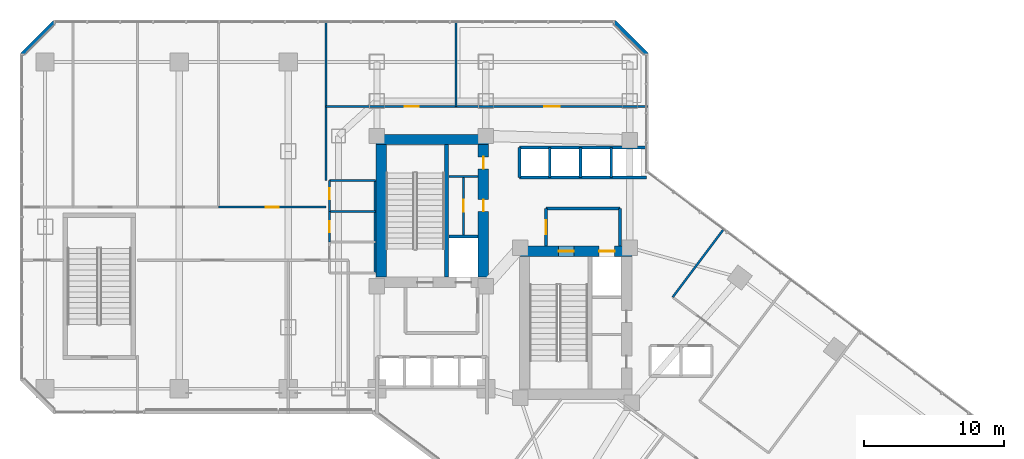
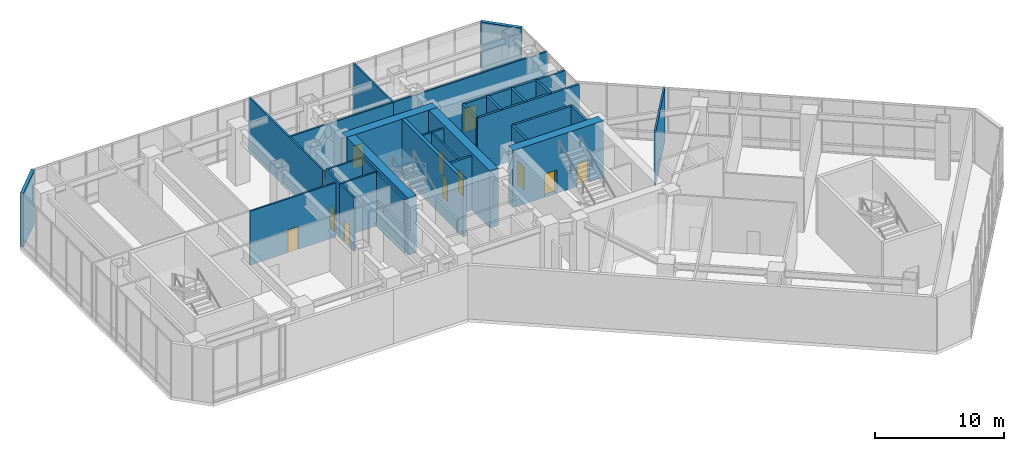
# One storey, part 29 of 35: 30 walls, 11 doors, 11 openings.
"""IFC4 building model written with IfcOpenShell, lengths in metres."""

from ifc_helpers import new_model, si_unit, direction, frame, frame_2d, origin, place, context, subcontext, project, spatial, rectangle, extrude, material, layer, layer_set, type_object, element, fill, save


model = new_model("IFC4")

# Units and contexts
model_context = context("Model", 3, precision=1e-05, world=origin(), true_north=direction((0.0, 1.0)))
body_context = subcontext(model_context, "Body", "Model", "MODEL_VIEW")
ifc_project = project(units=[si_unit("LENGTHUNIT", "METRE"), si_unit("AREAUNIT", "SQUARE_METRE"), si_unit("VOLUMEUNIT", "CUBIC_METRE"), si_unit("PLANEANGLEUNIT", "RADIAN"), si_unit("MASSUNIT", "GRAM", prefix="KILO")], contexts=[model_context])

# Site, building, storey
site_placement = place(None, origin())
site = spatial("IfcSite", under=ifc_project, at=site_placement, CompositionType="ELEMENT")
building_placement = place(site_placement, origin())
building = spatial("IfcBuilding", under=site, at=building_placement, Name="Hatsunagi Terrace Concourse", CompositionType="ELEMENT")
storey_placement = place(building_placement, frame((0.0, 0.0, 16.199951171875)))
storey = spatial("IfcBuildingStorey", under=building, at=storey_placement, Name="L04", CompositionType="ELEMENT", Elevation=16.199951171875)

# Walls
ifc_material_1 = material(Name="Concrete Fc60", Category="concrete")
ifc_layer_1 = layer(ifc_material_1, 0.75)
ifc_layer_set_1 = layer_set([ifc_layer_1], Name="CoreShearWall_Fc60_750")
wall_type_1 = type_object("IfcWallType", Name="CoreShearWall_Fc60_750", PredefinedType="SHEAR", material=ifc_layer_set_1)
wall_1_placement = place(storey_placement, frame((25.469970703125, 43.044921875, 0.0), z_axis=(0.0, 0.0, 1.0), x_axis=(1.0, 0.0, 0.0)))
element("IfcWall", 1, at=wall_1_placement, inside=storey, type_object=wall_type_1, Name="Core A Shear Wall N L04", PredefinedType="SHEAR", context=body_context, shape_type="SweptSolid", body=[
    extrude(rectangle(XDim=8.080078125, YDim=0.75, at=frame_2d((4.0400390625, 0.0))), origin(), (0.0, 0.0, 1.0), 5.400146484375),
])
wall_2_placement = place(storey_placement, frame((25.844970703125, 33.18994140625, 0.0), z_axis=(0.0, 0.0, 1.0), x_axis=(0.0, 1.0, 0.0)))
element("IfcWall", 2, at=wall_2_placement, inside=storey, type_object=wall_type_1, Name="Core A Shear Wall W L04", PredefinedType="SHEAR", context=body_context, shape_type="SweptSolid", body=[
    extrude(rectangle(XDim=9.47998046875, YDim=0.75, at=frame_2d((4.739990234375, 0.0))), origin(), (0.0, 0.0, 1.0), 5.400146484375),
])

# Wall, openings, doors
wall_3_placement = place(storey_placement, frame((33.175048828125, 33.18994140625, 0.0), z_axis=(0.0, 0.0, 1.0), x_axis=(0.0, 1.0, 0.0)))
wall_3 = element("IfcWall", 3, at=wall_3_placement, inside=storey, type_object=wall_type_1, Name="Core A Shear Wall E L04", PredefinedType="SHEAR", context=body_context, shape_type="SweptSolid", body=[
    extrude(rectangle(XDim=9.47998046875, YDim=0.75, at=frame_2d((4.739990234375, 0.0))), origin(), (0.0, 0.0, 1.0), 5.400146484375),
])
opening_1_placement = place(wall_3_placement, frame((4.7099609375, 0.0, 0.0)))
opening_1 = element("IfcOpeningElement", 4, at=opening_1_placement, cuts=wall_3, Name="Opening DR-085", PredefinedType="OPENING", context=body_context, shape_type="SweptSolid", body=[
    extrude(rectangle(XDim=0.85009765625, YDim=2.080078125, at=frame_2d((0.425048828125, 1.0400390625))), frame((0.0, 0.385009765625, 0.0), z_axis=(0.0, -1.0, 0.0), x_axis=(1.0, 0.0, 0.0)), (0.0, 0.0, 1.0), 0.77001953125),
])
opening_2_placement = place(wall_3_placement, frame((7.760009765625, 0.0, 0.0)))
opening_2 = element("IfcOpeningElement", 5, at=opening_2_placement, cuts=wall_3, Name="Opening DR-085", PredefinedType="OPENING", context=body_context, shape_type="SweptSolid", body=[
    extrude(rectangle(XDim=0.85009765625, YDim=2.080078125, at=frame_2d((0.425048828125, 1.0400390625))), frame((0.0, 0.385009765625, 0.0), z_axis=(0.0, -1.0, 0.0), x_axis=(1.0, 0.0, 0.0)), (0.0, 0.0, 1.0), 0.77001953125),
])
ifc_material_2 = material(Name="Painted steel", Category="steel")
door_type_1 = type_object("IfcDoorType", Name="RiserAccessDoor_EI60_850", OperationType="NOTDEFINED", PredefinedType="DOOR", material=ifc_material_2)
door_1_placement = place(opening_1_placement, origin())
door_1 = element("IfcDoor", 6, at=door_1_placement, inside=storey, type_object=door_type_1, Name="Core A Riser Door L04-1", OperationType="SINGLE_SWING_LEFT", OverallHeight=2.080078125, OverallWidth=0.85009765625, PredefinedType="DOOR", context=body_context, shape_type="SweptSolid", body=[
    extrude(rectangle(XDim=0.85009765625, YDim=2.080078125, at=frame_2d((0.425048828125, 1.0400390625))), frame((0.0, 0.02490234375, 0.0), z_axis=(0.0, -1.0, 0.0), x_axis=(1.0, 0.0, 0.0)), (0.0, 0.0, 1.0), 0.050048828125),
])
fill(opening_1, door_1)
door_2_placement = place(opening_2_placement, origin())
door_2 = element("IfcDoor", 7, at=door_2_placement, inside=storey, type_object=door_type_1, Name="Core A Riser Door L04-2", OperationType="SINGLE_SWING_LEFT", OverallHeight=2.080078125, OverallWidth=0.85009765625, PredefinedType="DOOR", context=body_context, shape_type="SweptSolid", body=[
    extrude(rectangle(XDim=0.85009765625, YDim=2.080078125, at=frame_2d((0.425048828125, 1.0400390625))), frame((0.0, 0.02490234375, 0.0), z_axis=(0.0, -1.0, 0.0), x_axis=(1.0, 0.0, 0.0)), (0.0, 0.0, 1.0), 0.050048828125),
])
fill(opening_2, door_2)

wall_4_placement = place(storey_placement, frame((35.739990234375, 35.044921875, 0.0), z_axis=(0.0, 0.0, 1.0), x_axis=(1.0, 0.0, 0.0)))
wall_4 = element("IfcWall", 8, at=wall_4_placement, inside=storey, type_object=wall_type_1, Name="Core B Shear Wall N L04", PredefinedType="SHEAR", context=body_context, shape_type="SweptSolid", body=[
    extrude(rectangle(XDim=8.06005859375, YDim=0.75, at=frame_2d((4.030029296875, 0.0))), origin(), (0.0, 0.0, 1.0), 5.400146484375),
])
opening_3_placement = place(wall_4_placement, frame((2.81005859375, 0.0, 0.0)))
opening_3 = element("IfcOpeningElement", 9, at=opening_3_placement, cuts=wall_4, Name="Opening DR-110S", PredefinedType="OPENING", context=body_context, shape_type="SweptSolid", body=[
    extrude(rectangle(XDim=1.10009765625, YDim=2.199951171875, at=frame_2d((0.550048828125, 1.10009765625))), frame((0.0, 0.385009765625, 0.0), z_axis=(0.0, -1.0, 0.0), x_axis=(1.0, 0.0, 0.0)), (0.0, 0.0, 1.0), 0.77001953125),
])
opening_4_placement = place(wall_4_placement, frame((5.7099609375, 0.0, 0.0)))
opening_4 = element("IfcOpeningElement", 10, at=opening_4_placement, cuts=wall_4, Name="Opening LD-02", PredefinedType="OPENING", context=body_context, shape_type="SweptSolid", body=[
    extrude(rectangle(XDim=1.1201171875, YDim=2.14990234375, at=frame_2d((0.56005859375, 1.074951171875))), frame((0.0, 0.385009765625, 0.0), z_axis=(0.0, -1.0, 0.0), x_axis=(1.0, 0.0, 0.0)), (0.0, 0.0, 1.0), 0.77001953125),
])
ifc_material_3 = material(Name="Stainless steel", Category="steel")
door_type_2 = type_object("IfcDoorType", Name="LiftLandingDoor_LD02", OperationType="SLIDING_TO_RIGHT", PredefinedType="USERDEFINED", material=ifc_material_3)
door_3_placement = place(opening_4_placement, origin())
door_3 = element("IfcDoor", 11, at=door_3_placement, inside=storey, type_object=door_type_2, Name="Lift landing door FF-02 L04", ObjectType="SLIDING_LANDING_DOOR", OperationType="SLIDING_TO_RIGHT", OverallHeight=2.14990234375, OverallWidth=1.1201171875, PredefinedType="USERDEFINED", context=body_context, shape_type="SweptSolid", body=[
    extrude(rectangle(XDim=1.1201171875, YDim=2.14990234375, at=frame_2d((0.56005859375, 1.074951171875))), frame((0.0, 0.02490234375, 0.0), z_axis=(0.0, -1.0, 0.0), x_axis=(1.0, 0.0, 0.0)), (0.0, 0.0, 1.0), 0.050048828125),
])
fill(opening_4, door_3)
ifc_material_4 = material(Name="Painted steel", Category="steel")
door_type_3 = type_object("IfcDoorType", Name="StairFireDoor_EI60_1100", OperationType="NOTDEFINED", PredefinedType="DOOR", material=ifc_material_4)
door_4_placement = place(opening_3_placement, origin())
door_4 = element("IfcDoor", 12, at=door_4_placement, inside=storey, type_object=door_type_3, Name="Stair ST-B Exit Door L04", OperationType="SINGLE_SWING_RIGHT", OverallHeight=2.199951171875, OverallWidth=1.10009765625, PredefinedType="DOOR", context=body_context, shape_type="SweptSolid", body=[
    extrude(rectangle(XDim=1.10009765625, YDim=2.199951171875, at=frame_2d((0.550048828125, 1.10009765625))), frame((0.0, 0.02490234375, 0.0), z_axis=(0.0, -1.0, 0.0), x_axis=(1.0, 0.0, 0.0)), (0.0, 0.0, 1.0), 0.050048828125),
])
fill(opening_3, door_4)

# Wall
ifc_material_5 = material(Name="Concrete Fc48", Category="concrete")
ifc_layer_2 = layer(ifc_material_5, 0.300048828125)
ifc_layer_set_2 = layer_set([ifc_layer_2], Name="CoreStairDivider_Fc48_300")
wall_type_2 = type_object("IfcWallType", Name="CoreStairDivider_Fc48_300", PredefinedType="SHEAR", material=ifc_layer_set_2)
wall_5_placement = place(storey_placement, frame((30.5400390625, 33.18994140625, 0.0), z_axis=(0.0, 0.0, 1.0), x_axis=(0.0, 1.0, 0.0)))
element("IfcWall", 13, at=wall_5_placement, inside=storey, type_object=wall_type_2, Name="Core A Shear Wall D L04", PredefinedType="SHEAR", context=body_context, shape_type="SweptSolid", body=[
    extrude(rectangle(XDim=9.47998046875, YDim=0.300048828125, at=frame_2d((4.739990234375, 0.0))), origin(), (0.0, 0.0, 1.0), 5.400146484375),
])

# Wall, opening, door
ifc_material_6 = material(Name="Acoustic mineral board", Category="gypsum")
ifc_layer_3 = layer(ifc_material_6, 0.14990234375)
ifc_layer_set_3 = layer_set([ifc_layer_3], Name="PartitionWall_EI60_150")
wall_type_3 = type_object("IfcWallType", Name="PartitionWall_EI60_150", PredefinedType="PARTITIONING", material=ifc_layer_set_3)
wall_6_placement = place(storey_placement, frame((31.75, 36.179931640625, 0.0), z_axis=(0.0, 0.0, 1.0), x_axis=(0.0, 1.0, 0.0)))
wall_6 = element("IfcWall", 14, at=wall_6_placement, inside=storey, type_object=wall_type_3, Name="Interior Partition IW-L04-002", PredefinedType="PARTITIONING", context=body_context, shape_type="SweptSolid", body=[
    extrude(rectangle(XDim=4.239990234375, YDim=0.14990234375, at=frame_2d((2.1201171875, 0.0))), origin(), (0.0, 0.0, 1.0), 5.10009765625),
])
opening_5_placement = place(wall_6_placement, frame((1.695068359375, 0.0, 0.0)))
opening_5 = element("IfcOpeningElement", 15, at=opening_5_placement, cuts=wall_6, Name="Opening DR-085", PredefinedType="OPENING", context=body_context, shape_type="SweptSolid", body=[
    extrude(rectangle(XDim=0.85009765625, YDim=2.080078125, at=frame_2d((0.425048828125, 1.0400390625))), frame((0.0, 0.0849609375, 0.0), z_axis=(0.0, -1.0, 0.0), x_axis=(1.0, 0.0, 0.0)), (0.0, 0.0, 1.0), 0.169921875),
])
door_5_placement = place(opening_5_placement, origin())
door_5 = element("IfcDoor", 16, at=door_5_placement, inside=storey, type_object=door_type_1, Name="Core A Sub-Riser Door L04", OperationType="SINGLE_SWING_LEFT", OverallHeight=2.080078125, OverallWidth=0.85009765625, PredefinedType="DOOR", context=body_context, shape_type="SweptSolid", body=[
    extrude(rectangle(XDim=0.85009765625, YDim=2.080078125, at=frame_2d((0.425048828125, 1.0400390625))), frame((0.0, 0.02490234375, 0.0), z_axis=(0.0, -1.0, 0.0), x_axis=(1.0, 0.0, 0.0)), (0.0, 0.0, 1.0), 0.050048828125),
])
fill(opening_5, door_5)

# Walls
wall_7_placement = place(storey_placement, frame((30.699951171875, 40.39990234375, 0.0), z_axis=(0.0, 0.0, 1.0), x_axis=(1.0, 0.0, 0.0)))
element("IfcWall", 17, at=wall_7_placement, inside=storey, type_object=wall_type_3, Name="Interior Partition IW-L04-003", PredefinedType="PARTITIONING", context=body_context, shape_type="SweptSolid", body=[
    extrude(rectangle(XDim=2.10009765625, YDim=0.14990234375, at=frame_2d((1.050048828125, 0.0))), origin(), (0.0, 0.0, 1.0), 5.10009765625),
])
wall_8_placement = place(storey_placement, frame((22.14990234375, 40.10009765625, 0.0), z_axis=(0.0, 0.0, 1.0), x_axis=(1.0, 0.0, 0.0)))
element("IfcWall", 18, at=wall_8_placement, inside=storey, type_object=wall_type_3, Name="Interior Partition IW-L04-031", PredefinedType="PARTITIONING", context=body_context, shape_type="SweptSolid", body=[
    extrude(rectangle(XDim=3.300048828125, YDim=0.14990234375, at=frame_2d((1.64990234375, 0.0))), origin(), (0.0, 0.0, 1.0), 5.10009765625),
])
wall_9_placement = place(storey_placement, frame((25.39990234375, 33.5, 0.0), z_axis=(0.0, 0.0, 1.0), x_axis=(0.0, 1.0, 0.0)))
element("IfcWall", 19, at=wall_9_placement, inside=storey, type_object=wall_type_3, Name="Interior Partition IW-L04-032", PredefinedType="PARTITIONING", context=body_context, shape_type="SweptSolid", body=[
    extrude(rectangle(XDim=6.60009765625, YDim=0.14990234375, at=frame_2d((3.300048828125, 0.0))), origin(), (0.0, 0.0, 1.0), 5.10009765625),
])
wall_10_placement = place(storey_placement, frame((22.14990234375, 37.89990234375, 0.0), z_axis=(0.0, 0.0, 1.0), x_axis=(1.0, 0.0, 0.0)))
element("IfcWall", 20, at=wall_10_placement, inside=storey, type_object=wall_type_3, Name="Interior Partition IW-L04-034", PredefinedType="PARTITIONING", context=body_context, shape_type="SweptSolid", body=[
    extrude(rectangle(XDim=3.300048828125, YDim=0.14990234375, at=frame_2d((1.64990234375, 0.0))), origin(), (0.0, 0.0, 1.0), 5.10009765625),
])

# Wall, opening, door
wall_11_placement = place(storey_placement, frame((22.14990234375, 35.699951171875, 0.0), z_axis=(0.0, 0.0, 1.0), x_axis=(0.0, 1.0, 0.0)))
wall_11 = element("IfcWall", 21, at=wall_11_placement, inside=storey, type_object=wall_type_3, Name="Interior Partition IW-L04-036", PredefinedType="PARTITIONING", context=body_context, shape_type="SweptSolid", body=[
    extrude(rectangle(XDim=2.199951171875, YDim=0.14990234375, at=frame_2d((1.10009765625, 0.0))), origin(), (0.0, 0.0, 1.0), 5.10009765625),
])
opening_6_placement = place(wall_11_placement, frame((0.699951171875, 0.0, 0.0)))
opening_6 = element("IfcOpeningElement", 22, at=opening_6_placement, cuts=wall_11, Name="Opening DR-080", PredefinedType="OPENING", context=body_context, shape_type="SweptSolid", body=[
    extrude(rectangle(XDim=0.800048828125, YDim=2.06005859375, at=frame_2d((0.39990234375, 1.030029296875))), frame((0.0, 0.0849609375, 0.0), z_axis=(0.0, -1.0, 0.0), x_axis=(1.0, 0.0, 0.0)), (0.0, 0.0, 1.0), 0.169921875),
])
ifc_material_7 = material(Name="Hardwood timber", Category="wood")
door_type_4 = type_object("IfcDoorType", Name="BathroomDoor_800", OperationType="NOTDEFINED", PredefinedType="DOOR", material=ifc_material_7)
door_6_placement = place(opening_6_placement, origin())
door_6 = element("IfcDoor", 23, at=door_6_placement, inside=storey, type_object=door_type_4, Name="Female Restroom Door L04", OperationType="SINGLE_SWING_LEFT", OverallHeight=2.06005859375, OverallWidth=0.800048828125, PredefinedType="DOOR", context=body_context, shape_type="SweptSolid", body=[
    extrude(rectangle(XDim=0.800048828125, YDim=2.06005859375, at=frame_2d((0.39990234375, 1.030029296875))), frame((0.0, 0.02490234375, 0.0), z_axis=(0.0, -1.0, 0.0), x_axis=(1.0, 0.0, 0.0)), (0.0, 0.0, 1.0), 0.050048828125),
])
fill(opening_6, door_6)

wall_12_placement = place(storey_placement, frame((22.14990234375, 37.89990234375, 0.0), z_axis=(0.0, 0.0, 1.0), x_axis=(0.0, 1.0, 0.0)))
wall_12 = element("IfcWall", 24, at=wall_12_placement, inside=storey, type_object=wall_type_3, Name="Interior Partition IW-L04-037", PredefinedType="PARTITIONING", context=body_context, shape_type="SweptSolid", body=[
    extrude(rectangle(XDim=2.2001953125, YDim=0.14990234375, at=frame_2d((1.10009765625, 0.0))), origin(), (0.0, 0.0, 1.0), 5.10009765625),
])
opening_7_placement = place(wall_12_placement, frame((0.860107421875, 0.0, 0.0)))
opening_7 = element("IfcOpeningElement", 25, at=opening_7_placement, cuts=wall_12, Name="Opening DR-080", PredefinedType="OPENING", context=body_context, shape_type="SweptSolid", body=[
    extrude(rectangle(XDim=0.800048828125, YDim=2.06005859375, at=frame_2d((0.39990234375, 1.030029296875))), frame((0.0, 0.0849609375, 0.0), z_axis=(0.0, -1.0, 0.0), x_axis=(1.0, 0.0, 0.0)), (0.0, 0.0, 1.0), 0.169921875),
])
door_7_placement = place(opening_7_placement, origin())
door_7 = element("IfcDoor", 26, at=door_7_placement, inside=storey, type_object=door_type_4, Name="Male Restroom Door L04", OperationType="SINGLE_SWING_RIGHT", OverallHeight=2.06005859375, OverallWidth=0.800048828125, PredefinedType="DOOR", context=body_context, shape_type="SweptSolid", body=[
    extrude(rectangle(XDim=0.800048828125, YDim=2.06005859375, at=frame_2d((0.39990234375, 1.030029296875))), frame((0.0, 0.02490234375, 0.0), z_axis=(0.0, -1.0, 0.0), x_axis=(1.0, 0.0, 0.0)), (0.0, 0.0, 1.0), 0.050048828125),
])
fill(opening_7, door_7)

wall_13_placement = place(storey_placement, frame((14.199951171875, 38.199951171875, 0.0), z_axis=(0.0, 0.0, 1.0), x_axis=(1.0, 0.0, 0.0)))
wall_13 = element("IfcWall", 27, at=wall_13_placement, inside=storey, type_object=wall_type_3, Name="Interior Partition IW-L04-044", PredefinedType="PARTITIONING", context=body_context, shape_type="SweptSolid", body=[
    extrude(rectangle(XDim=7.699951171875, YDim=0.14990234375, at=frame_2d((3.85009765625, 0.0))), origin(), (0.0, 0.0, 1.0), 5.10009765625),
])
opening_8_placement = place(wall_13_placement, frame((3.375, 0.0, 0.0)))
opening_8 = element("IfcOpeningElement", 28, at=opening_8_placement, cuts=wall_13, Name="Opening DR-095", PredefinedType="OPENING", context=body_context, shape_type="SweptSolid", body=[
    extrude(rectangle(XDim=0.949951171875, YDim=2.14990234375, at=frame_2d((0.47509765625, 1.074951171875))), frame((0.0, 0.0849609375, 0.0), z_axis=(0.0, -1.0, 0.0), x_axis=(1.0, 0.0, 0.0)), (0.0, 0.0, 1.0), 0.169921875),
])
ifc_material_8 = material(Name="Hardwood timber", Category="wood")
door_type_5 = type_object("IfcDoorType", Name="InteriorSuiteDoor_EI30_950", OperationType="NOTDEFINED", PredefinedType="DOOR", material=ifc_material_8)
door_8_placement = place(opening_8_placement, origin())
door_8 = element("IfcDoor", 29, at=door_8_placement, inside=storey, type_object=door_type_5, Name="VIP Lounge L04-P4N4 Door", OperationType="SINGLE_SWING_RIGHT", OverallHeight=2.14990234375, OverallWidth=0.949951171875, PredefinedType="DOOR", context=body_context, shape_type="SweptSolid", body=[
    extrude(rectangle(XDim=0.949951171875, YDim=2.14990234375, at=frame_2d((0.47509765625, 1.074951171875))), frame((0.0, 0.02490234375, 0.0), z_axis=(0.0, -1.0, 0.0), x_axis=(1.0, 0.0, 0.0)), (0.0, 0.0, 1.0), 0.050048828125),
])
fill(opening_8, door_8)

# Wall
wall_14_placement = place(storey_placement, frame((21.89990234375, 40.10009765625, 0.0), z_axis=(0.0, 0.0, 1.0), x_axis=(0.0, 1.0, 0.0)))
element("IfcWall", 30, at=wall_14_placement, inside=storey, type_object=wall_type_3, Name="Interior Partition IW-L04-045", PredefinedType="PARTITIONING", context=body_context, shape_type="SweptSolid", body=[
    extrude(rectangle(XDim=11.4599609375, YDim=0.14990234375, at=frame_2d((5.72998046875, 0.0))), origin(), (0.0, 0.0, 1.0), 5.10009765625),
])

# Wall, opening, door
wall_15_placement = place(storey_placement, frame((21.89990234375, 45.39990234375, 0.0), z_axis=(0.0, 0.0, 1.0), x_axis=(1.0, 0.0, 0.0)))
wall_15 = element("IfcWall", 31, at=wall_15_placement, inside=storey, type_object=wall_type_3, Name="Interior Partition IW-L04-052", PredefinedType="PARTITIONING", context=body_context, shape_type="SweptSolid", body=[
    extrude(rectangle(XDim=9.300048828125, YDim=0.14990234375, at=frame_2d((4.64990234375, 0.0))), origin(), (0.0, 0.0, 1.0), 5.10009765625),
])
opening_9_placement = place(wall_15_placement, frame((5.657958984375, 0.0, 0.0)))
opening_9 = element("IfcOpeningElement", 32, at=opening_9_placement, cuts=wall_15, Name="Opening DR-100S", PredefinedType="OPENING", context=body_context, shape_type="SweptSolid", body=[
    extrude(rectangle(XDim=1.0, YDim=2.14990234375, at=frame_2d((0.5, 1.074951171875))), frame((0.0, 0.0849609375, 0.0), z_axis=(0.0, -1.0, 0.0), x_axis=(1.0, 0.0, 0.0)), (0.0, 0.0, 1.0), 0.169921875),
])
ifc_material_9 = material(Name="Hardwood timber", Category="wood")
door_type_6 = type_object("IfcDoorType", Name="SuiteDoor_EI30_1000", OperationType="NOTDEFINED", PredefinedType="DOOR", material=ifc_material_9)
door_9_placement = place(opening_9_placement, origin())
door_9 = element("IfcDoor", 33, at=door_9_placement, inside=storey, type_object=door_type_6, Name="VIP Lounge L04-P4VIP Door", OperationType="SINGLE_SWING_RIGHT", OverallHeight=2.14990234375, OverallWidth=1.0, PredefinedType="DOOR", context=body_context, shape_type="SweptSolid", body=[
    extrude(rectangle(XDim=1.0, YDim=2.14990234375, at=frame_2d((0.5, 1.074951171875))), frame((0.0, 0.02490234375, 0.0), z_axis=(0.0, -1.0, 0.0), x_axis=(1.0, 0.0, 0.0)), (0.0, 0.0, 1.0), 0.050048828125),
])
fill(opening_9, door_9)

# Wall
wall_16_placement = place(storey_placement, frame((31.199951171875, 45.39990234375, 0.0), z_axis=(0.0, 0.0, 1.0), x_axis=(0.0, 1.0, 0.0)))
element("IfcWall", 34, at=wall_16_placement, inside=storey, type_object=wall_type_3, Name="Interior Partition IW-L04-053", PredefinedType="PARTITIONING", context=body_context, shape_type="SweptSolid", body=[
    extrude(rectangle(XDim=6.16015625, YDim=0.14990234375, at=frame_2d((3.080078125, 0.0))), origin(), (0.0, 0.0, 1.0), 5.10009765625),
])

# Wall, opening, door
wall_17_placement = place(storey_placement, frame((31.199951171875, 45.39990234375, 0.0), z_axis=(0.0, 0.0, 1.0), x_axis=(1.0, 0.0, 0.0)))
wall_17 = element("IfcWall", 35, at=wall_17_placement, inside=storey, type_object=wall_type_3, Name="Interior Partition IW-L04-054", PredefinedType="PARTITIONING", context=body_context, shape_type="SweptSolid", body=[
    extrude(rectangle(XDim=13.760009765625, YDim=0.14990234375, at=frame_2d((6.8798828125, 0.0))), origin(), (0.0, 0.0, 1.0), 5.10009765625),
])
opening_10_placement = place(wall_17_placement, frame((6.330078125, 0.0, 0.0)))
opening_10 = element("IfcOpeningElement", 36, at=opening_10_placement, cuts=wall_17, Name="Opening DR-110F", PredefinedType="OPENING", context=body_context, shape_type="SweptSolid", body=[
    extrude(rectangle(XDim=1.10009765625, YDim=2.239990234375, at=frame_2d((0.550048828125, 1.1201171875))), frame((0.0, 0.0849609375, 0.0), z_axis=(0.0, -1.0, 0.0), x_axis=(1.0, 0.0, 0.0)), (0.0, 0.0, 1.0), 0.169921875),
])
ifc_material_10 = material(Name="Painted steel", Category="steel")
door_type_7 = type_object("IfcDoorType", Name="FireDoor_EI60_1100", OperationType="NOTDEFINED", PredefinedType="DOOR", material=ifc_material_10)
door_10_placement = place(opening_10_placement, origin())
door_10 = element("IfcDoor", 37, at=door_10_placement, inside=storey, type_object=door_type_7, Name="Catering Pantry L04-P4CAT Door", OperationType="SINGLE_SWING_RIGHT", OverallHeight=2.239990234375, OverallWidth=1.10009765625, PredefinedType="DOOR", context=body_context, shape_type="SweptSolid", body=[
    extrude(rectangle(XDim=1.10009765625, YDim=2.239990234375, at=frame_2d((0.550048828125, 1.1201171875))), frame((0.0, 0.02490234375, 0.0), z_axis=(0.0, -1.0, 0.0), x_axis=(1.0, 0.0, 0.0)), (0.0, 0.0, 1.0), 0.050048828125),
])
fill(opening_10, door_10)

# Walls
wall_18_placement = place(storey_placement, frame((46.719970703125, 31.760009765625, 0.0), z_axis=(0.0, 0.0, 1.0), x_axis=(0.600006341286, 0.799995243996, 0.0)))
element("IfcWall", 38, at=wall_18_placement, inside=storey, type_object=wall_type_3, Name="Interior Partition IW-L04-063", PredefinedType="PARTITIONING", context=body_context, shape_type="SweptSolid", body=[
    extrude(rectangle(XDim=6.159912109375, YDim=0.14990234375, at=frame_2d((3.080078125, 0.0))), origin(), (0.0, 0.0, 1.0), 5.10009765625),
])
ifc_material_11 = material(Name="Acoustic mineral board", Category="gypsum")
ifc_layer_4 = layer(ifc_material_11, 0.199951171875)
ifc_layer_set_4 = layer_set([ifc_layer_4], Name="ShaftWall_EI120_200")
wall_type_4 = type_object("IfcWallType", Name="ShaftWall_EI120_200", PredefinedType="STANDARD", material=ifc_layer_set_4)
wall_19_placement = place(storey_placement, frame((30.699951171875, 36.10009765625, 0.0), z_axis=(0.0, 0.0, 1.0), x_axis=(1.0, 0.0, 0.0)))
element("IfcWall", 39, at=wall_19_placement, inside=storey, type_object=wall_type_4, Name="Interior Partition IW-L04-001", PredefinedType="STANDARD", context=body_context, shape_type="SweptSolid", body=[
    extrude(rectangle(XDim=2.10009765625, YDim=0.199951171875, at=frame_2d((1.050048828125, 0.0))), origin(), (0.0, 0.0, 1.0), 5.10009765625),
])
wall_20_placement = place(storey_placement, frame((37.64990234375, 38.10009765625, 0.0), z_axis=(0.0, 0.0, 1.0), x_axis=(1.0, 0.0, 0.0)))
element("IfcWall", 40, at=wall_20_placement, inside=storey, type_object=wall_type_4, Name="Interior Partition IW-L04-009", PredefinedType="STANDARD", context=body_context, shape_type="SweptSolid", body=[
    extrude(rectangle(XDim=5.300048828125, YDim=0.199951171875, at=frame_2d((2.64990234375, 0.0))), origin(), (0.0, 0.0, 1.0), 5.10009765625),
])
wall_21_placement = place(storey_placement, frame((42.949951171875, 35.419921875, 0.0), z_axis=(0.0, 0.0, 1.0), x_axis=(0.0, 1.0, 0.0)))
element("IfcWall", 41, at=wall_21_placement, inside=storey, type_object=wall_type_4, Name="Interior Partition IW-L04-010", PredefinedType="STANDARD", context=body_context, shape_type="SweptSolid", body=[
    extrude(rectangle(XDim=2.68017578125, YDim=0.199951171875, at=frame_2d((1.340087890625, 0.0))), origin(), (0.0, 0.0, 1.0), 5.10009765625),
])

# Wall, opening, door
wall_22_placement = place(storey_placement, frame((37.64990234375, 35.419921875, 0.0), z_axis=(0.0, 0.0, 1.0), x_axis=(0.0, 1.0, 0.0)))
wall_22 = element("IfcWall", 42, at=wall_22_placement, inside=storey, type_object=wall_type_4, Name="Interior Partition IW-L04-011", PredefinedType="STANDARD", context=body_context, shape_type="SweptSolid", body=[
    extrude(rectangle(XDim=2.68017578125, YDim=0.199951171875, at=frame_2d((1.340087890625, 0.0))), origin(), (0.0, 0.0, 1.0), 5.10009765625),
])
opening_11_placement = place(wall_22_placement, frame((0.840087890625, 0.0, 0.0)))
opening_11 = element("IfcOpeningElement", 43, at=opening_11_placement, cuts=wall_22, Name="Opening DR-100F", PredefinedType="OPENING", context=body_context, shape_type="SweptSolid", body=[
    extrude(rectangle(XDim=1.0, YDim=2.199951171875, at=frame_2d((0.5, 1.10009765625))), frame((0.0, 0.10986328125, 0.0), z_axis=(0.0, -1.0, 0.0), x_axis=(1.0, 0.0, 0.0)), (0.0, 0.0, 1.0), 0.219970703125),
])
ifc_material_12 = material(Name="Painted steel", Category="steel")
door_type_8 = type_object("IfcDoorType", Name="FireDoor_EI60_1000", OperationType="NOTDEFINED", PredefinedType="DOOR", material=ifc_material_12)
door_11_placement = place(opening_11_placement, origin())
door_11 = element("IfcDoor", 44, at=door_11_placement, inside=storey, type_object=door_type_8, Name="Firefighting Lobby B Door L04", OperationType="SINGLE_SWING_RIGHT", OverallHeight=2.199951171875, OverallWidth=1.0, PredefinedType="DOOR", context=body_context, shape_type="SweptSolid", body=[
    extrude(rectangle(XDim=1.0, YDim=2.199951171875, at=frame_2d((0.5, 1.10009765625))), frame((0.0, 0.02490234375, 0.0), z_axis=(0.0, -1.0, 0.0), x_axis=(1.0, 0.0, 0.0)), (0.0, 0.0, 1.0), 0.050048828125),
])
fill(opening_11, door_11)

# Walls
wall_23_placement = place(storey_placement, frame((35.75, 42.47998046875, 0.0), z_axis=(0.0, 0.0, 1.0), x_axis=(1.0, 0.0, 0.0)))
element("IfcWall", 45, at=wall_23_placement, inside=storey, type_object=wall_type_4, Name="Interior Partition IW-L04-019", PredefinedType="STANDARD", context=body_context, shape_type="SweptSolid", body=[
    extrude(rectangle(XDim=9.110107421875, YDim=0.199951171875, at=frame_2d((4.55517578125, 0.0))), origin(), (0.0, 0.0, 1.0), 5.10009765625),
])
for number, where, z_axis, x_axis, name in (
    (46, (35.75, 40.320068359375, 0.0), (0.0, 0.0, 1.0), (0.0, 1.0, 0.0), "Interior Partition IW-L04-020"),
    (47, (37.919921875, 40.320068359375, 0.0), (0.0, 0.0, 1.0), (0.0, 1.0, 0.0), "Interior Partition IW-L04-021"),
    (48, (40.1201171875, 40.320068359375, 0.0), (0.0, 0.0, 1.0), (0.0, 1.0, 0.0), "Interior Partition IW-L04-022"),
    (49, (42.320068359375, 40.320068359375, 0.0), (0.0, 0.0, 1.0), (0.0, 1.0, 0.0), "Interior Partition IW-L04-023"),
):
    element("IfcWall", number, at=place(storey_placement, frame(where, z_axis=z_axis, x_axis=x_axis)), inside=storey, type_object=wall_type_4, Name=name, PredefinedType="STANDARD", context=body_context, shape_type="SweptSolid", body=[
        extrude(rectangle(XDim=2.159912109375, YDim=0.199951171875, at=frame_2d((1.080078125, 0.0))), origin(), (0.0, 0.0, 1.0), 5.10009765625),
    ])
wall_24_placement = place(storey_placement, frame((35.75, 40.320068359375, 0.0), z_axis=(0.0, 0.0, 1.0), x_axis=(1.0, 0.0, 0.0)))
element("IfcWall", 50, at=wall_24_placement, inside=storey, type_object=wall_type_4, Name="Interior Partition IW-L04-024", PredefinedType="STANDARD", context=body_context, shape_type="SweptSolid", body=[
    extrude(rectangle(XDim=9.110107421875, YDim=0.199951171875, at=frame_2d((4.55517578125, 0.0))), origin(), (0.0, 0.0, 1.0), 5.10009765625),
])
ifc_material_13 = material(Name="Autoclaved Lightweight Concrete and Terracotta Cladding", Category="masonry")
ifc_layer_5 = layer(ifc_material_13, 0.280029296875)
ifc_layer_set_5 = layer_set([ifc_layer_5], Name="TerracottaSpandrelWall_280")
wall_type_5 = type_object("IfcWallType", Name="TerracottaSpandrelWall_280", PredefinedType="STANDARD", material=ifc_layer_set_5)
for number, where, z_axis, x_axis, name in (
    (51, (0.139892578125, 49.14208984375, 0.0), (0.0, 0.0, 1.0), (0.707144017911, 0.707069542501, 0.0), "Exterior Spandrel Wall EW-L04-11"),
    (52, (42.5419921875, 51.4599609375, 0.0), (0.0, 0.0, 1.0), (0.707144017911, -0.707069542501, 0.0), "Exterior Spandrel Wall EW-L04-13"),
):
    element("IfcWall", number, at=place(storey_placement, frame(where, z_axis=z_axis, x_axis=x_axis)), inside=storey, type_object=wall_type_5, Name=name, PredefinedType="STANDARD", context=body_context, shape_type="SweptSolid", body=[
        extrude(rectangle(XDim=3.278076171875, YDim=0.280029296875, at=frame_2d((1.63916015625, 0.0))), origin(), (0.0, 0.0, 1.0), 5.10009765625),
    ])

save(model, "model.ifc")
